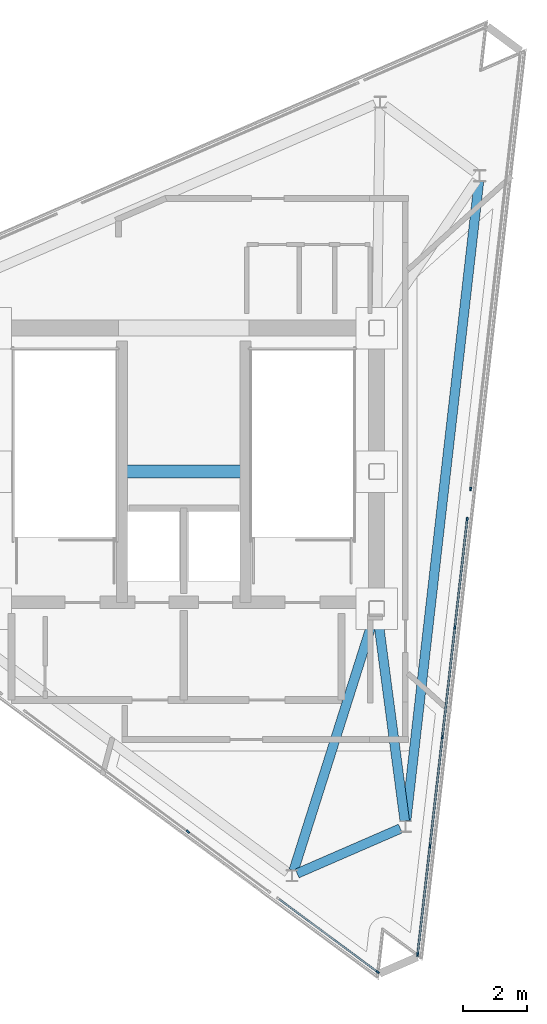
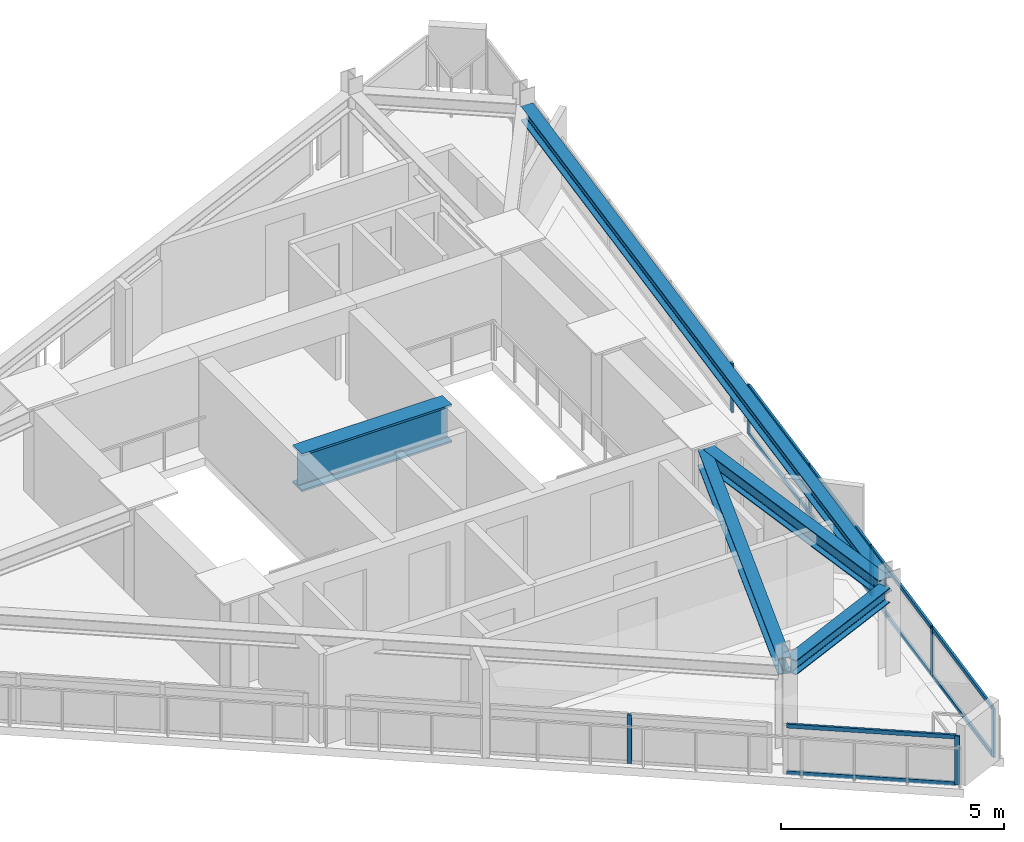
# One storey, part 3 of 9: 18 members, 5 beams, 4 elements without a shape of their own.
"""IFC4 building model written with IfcOpenShell, lengths in metres."""

from ifc_helpers import new_model, si_unit, direction, frame, origin, origin_2d, place, context, subcontext, project, spatial, rectangle, i_section, extrude, material, layer, layer_set, material_profile, profile_set, type_object, element, aggregate, save


model = new_model("IFC4")

# Units and contexts
model_context = context("Model", 3, precision=1e-05, world=origin(), true_north=direction((0.0, 1.0)))
body_context = subcontext(model_context, "Body", "Model", "MODEL_VIEW")
ifc_project = project(units=[si_unit("LENGTHUNIT", "METRE"), si_unit("AREAUNIT", "SQUARE_METRE"), si_unit("VOLUMEUNIT", "CUBIC_METRE"), si_unit("PLANEANGLEUNIT", "RADIAN"), si_unit("MASSUNIT", "GRAM", prefix="KILO")], contexts=[model_context])

# Site, building, storey
site_placement = place(None, origin())
site = spatial("IfcSite", under=ifc_project, at=site_placement, CompositionType="ELEMENT")
building_placement = place(site_placement, origin())
building = spatial("IfcBuilding", under=site, at=building_placement, Name="Rocaltana Carrier Exchange", CompositionType="ELEMENT")
storey_placement = place(building_placement, frame((0.0, 0.0, 254.8798828125)))
storey = spatial("IfcBuildingStorey", under=building, at=storey_placement, Name="L81", CompositionType="ELEMENT", Elevation=254.8798828125)

# Curtain wall, members
ifc_material_1 = material(Name="Aluminium 6063-T6", Category="aluminium")
ifc_layer = layer(ifc_material_1, 0.110107421875)
ifc_layer_set = layer_set([ifc_layer], Name="Aluminium 6063-T6")
curtain_wall_type = type_object("IfcCurtainWallType", Name="Crown Lantern Faceted Curtain Wall CW-06", PredefinedType="NOTDEFINED", material=ifc_layer_set)
curtain_wall_1_placement = place(storey_placement, origin())
curtain_wall_1 = element("IfcCurtainWall", 1, at=curtain_wall_1_placement, inside=storey, type_object=curtain_wall_type, Name="L81 CW-06 Run CW06-L81-F1S1", PredefinedType="NOTDEFINED")
ifc_material_2 = material(Name="Aluminium 6063-T6", Category="aluminium")
ifc_material_profile_1 = material_profile(ifc_material_2, rectangle(XDim=0.054931640625, YDim=0.110107421875, at=origin_2d()), Name="AL-55X110")
ifc_profile_set_1 = profile_set([ifc_material_profile_1], Name="Aluminium 6063-T6")
member_type_1 = type_object("IfcMemberType", Name="CW-06 Mullion AL-55X110", PredefinedType="MULLION", material=ifc_profile_set_1)
member_1_placement = place(storey_placement, frame((7.33203125, -15.14990234375, 0.0), z_axis=(0.0, 0.0, 1.0), x_axis=(-0.993571898924, 0.113202834189, 0.0)))
member_1 = element("IfcMember", 2, at=member_1_placement, type_object=member_type_1, Name="CW-06 mullion 1", PredefinedType="MULLION", context=body_context, shape_type="SweptSolid", body=[
    extrude(rectangle(XDim=0.054931640625, YDim=0.110107421875, at=origin_2d()), origin(), (0.0, 0.0, 1.0), 1.338134765625),
])
member_2_placement = place(storey_placement, frame((7.719482421875, -11.749267578125, 0.0), z_axis=(0.0, 0.0, 1.0), x_axis=(-0.993571898924, 0.113202834189, 0.0)))
member_2 = element("IfcMember", 3, at=member_2_placement, type_object=member_type_1, Name="CW-06 mullion 2", PredefinedType="MULLION", context=body_context, shape_type="SweptSolid", body=[
    extrude(rectangle(XDim=0.054931640625, YDim=0.110107421875, at=origin_2d()), origin(), (0.0, 0.0, 1.0), 1.338134765625),
])
member_3_placement = place(storey_placement, frame((8.110107421875, -8.321533203125, 0.0), z_axis=(0.0, 0.0, 1.0), x_axis=(-0.993571898924, 0.113202834189, 0.0)))
member_3 = element("IfcMember", 4, at=member_3_placement, type_object=member_type_1, Name="CW-06 mullion 3", PredefinedType="MULLION", context=body_context, shape_type="SweptSolid", body=[
    extrude(rectangle(XDim=0.054931640625, YDim=0.110107421875, at=origin_2d()), origin(), (0.0, 0.0, 1.0), 1.338134765625),
])
member_4_placement = place(storey_placement, frame((8.50048828125, -4.893798828125, 0.0), z_axis=(0.0, 0.0, 1.0), x_axis=(-0.993571898924, 0.113202834189, 0.0)))
member_4 = element("IfcMember", 5, at=member_4_placement, type_object=member_type_1, Name="CW-06 mullion 4", PredefinedType="MULLION", context=body_context, shape_type="SweptSolid", body=[
    extrude(rectangle(XDim=0.054931640625, YDim=0.110107421875, at=origin_2d()), origin(), (0.0, 0.0, 1.0), 1.338134765625),
])
member_5_placement = place(storey_placement, frame((8.887939453125, -1.4931640625, 0.0), z_axis=(0.0, 0.0, 1.0), x_axis=(-0.993571898924, 0.113202834189, 0.0)))
member_5 = element("IfcMember", 6, at=member_5_placement, type_object=member_type_1, Name="CW-06 mullion 5", PredefinedType="MULLION", context=body_context, shape_type="SweptSolid", body=[
    extrude(rectangle(XDim=0.054931640625, YDim=0.110107421875, at=origin_2d()), origin(), (0.0, 0.0, 1.0), 1.338134765625),
])

# Curtain wall, member
curtain_wall_2_placement = place(storey_placement, origin())
curtain_wall_2 = element("IfcCurtainWall", 7, at=curtain_wall_2_placement, inside=storey, type_object=curtain_wall_type, Name="L81 CW-06 Run CW06-L81-F1S2", PredefinedType="NOTDEFINED")
member_6_placement = place(storey_placement, frame((8.99609375, -0.54443359375, 0.0), z_axis=(0.0, 0.0, 1.0), x_axis=(-0.993571898924, 0.113202834189, 0.0)))
member_6 = element("IfcMember", 8, at=member_6_placement, type_object=member_type_1, Name="CW-06 mullion 1", PredefinedType="MULLION", context=body_context, shape_type="SweptSolid", body=[
    extrude(rectangle(XDim=0.054931640625, YDim=0.110107421875, at=origin_2d()), origin(), (0.0, 0.0, 1.0), 1.338134765625),
])
aggregate(curtain_wall_2, [member_6])

curtain_wall_3_placement = place(storey_placement, origin())
curtain_wall_3 = element("IfcCurtainWall", 9, at=curtain_wall_3_placement, inside=storey, type_object=curtain_wall_type, Name="L81 CW-06 Run CW06-L81-F3S2-S1", PredefinedType="NOTDEFINED")
member_7_placement = place(storey_placement, frame((0.13330078125, -11.29443359375, 0.0), z_axis=(0.0, 0.0, 1.0), x_axis=(0.594820842297, 0.803858299434, 0.0)))
member_7 = element("IfcMember", 10, at=member_7_placement, type_object=member_type_1, Name="CW-06 mullion 3", PredefinedType="MULLION", context=body_context, shape_type="SweptSolid", body=[
    extrude(rectangle(XDim=0.054931640625, YDim=0.110107421875, at=origin_2d()), origin(), (0.0, 0.0, 1.0), 1.338134765625),
])
aggregate(curtain_wall_3, [member_7])

curtain_wall_4_placement = place(storey_placement, origin())
curtain_wall_4 = element("IfcCurtainWall", 11, at=curtain_wall_4_placement, inside=storey, type_object=curtain_wall_type, Name="L81 CW-06 Run CW06-L81-F3S2-S2", PredefinedType="NOTDEFINED")
member_8_placement = place(storey_placement, frame((6.07958984375, -15.6943359375, 0.0), z_axis=(0.0, 0.0, 1.0), x_axis=(0.594812420492, 0.803864531142, 0.0)))
member_8 = element("IfcMember", 12, at=member_8_placement, type_object=member_type_1, Name="CW-06 mullion 2", PredefinedType="MULLION", context=body_context, shape_type="SweptSolid", body=[
    extrude(rectangle(XDim=0.054931640625, YDim=0.110107421875, at=origin_2d()), origin(), (0.0, 0.0, 1.0), 1.338134765625),
])

# Member
ifc_material_3 = material(Name="Aluminium 6063-T6", Category="aluminium")
ifc_material_profile_2 = material_profile(ifc_material_3, rectangle(XDim=0.054931640625, YDim=0.110107421875, at=origin_2d()), Name="AL-55X110")
ifc_profile_set_2 = profile_set([ifc_material_profile_2], Name="Aluminium 6063-T6")
member_type_2 = type_object("IfcMemberType", Name="CW-06 Transom AL-55X110", PredefinedType="USERDEFINED", material=ifc_profile_set_2)
member_9_placement = place(storey_placement, frame((7.335205078125, -15.12255859375, 0.027587890625), z_axis=(0.113168323322, 0.99357583032, 0.0), x_axis=(-0.99357583032, 0.113168323322, 0.0)))
member_9 = element("IfcMember", 13, at=member_9_placement, type_object=member_type_2, Name="CW-06 transom 1.1", ObjectType="TRANSOM", PredefinedType="USERDEFINED", context=body_context, shape_type="SweptSolid", body=[
    extrude(rectangle(XDim=0.054931640625, YDim=0.110107421875, at=origin_2d()), origin(), (0.0, 0.0, 1.0), 3.36767578125),
])

member_10_placement = place(storey_placement, frame((7.335205078125, -15.12255859375, 1.310546875), z_axis=(0.113168323322, 0.99357583032, 0.0), x_axis=(-0.99357583032, 0.113168323322, 0.0)))
member_10 = element("IfcMember", 14, at=member_10_placement, type_object=member_type_2, Name="CW-06 transom 1.2", ObjectType="TRANSOM", PredefinedType="USERDEFINED", context=body_context, shape_type="SweptSolid", body=[
    extrude(rectangle(XDim=0.054931640625, YDim=0.110107421875, at=origin_2d()), origin(), (0.0, 0.0, 1.0), 3.36767578125),
])

member_11_placement = place(storey_placement, frame((7.72265625, -11.72216796875, 0.027587890625), z_axis=(0.113185587436, 0.993573863785, 0.0), x_axis=(-0.993573863785, 0.113185587436, 0.0)))
member_11 = element("IfcMember", 15, at=member_11_placement, type_object=member_type_2, Name="CW-06 transom 2.1", ObjectType="TRANSOM", PredefinedType="USERDEFINED", context=body_context, shape_type="SweptSolid", body=[
    extrude(rectangle(XDim=0.054931640625, YDim=0.110107421875, at=origin_2d()), origin(), (0.0, 0.0, 1.0), 3.39501953125),
])

member_12_placement = place(storey_placement, frame((7.72265625, -11.72216796875, 1.310546875), z_axis=(0.113185587436, 0.993573863785, 0.0), x_axis=(-0.993573863785, 0.113185587436, 0.0)))
member_12 = element("IfcMember", 16, at=member_12_placement, type_object=member_type_2, Name="CW-06 transom 2.2", ObjectType="TRANSOM", PredefinedType="USERDEFINED", context=body_context, shape_type="SweptSolid", body=[
    extrude(rectangle(XDim=0.054931640625, YDim=0.110107421875, at=origin_2d()), origin(), (0.0, 0.0, 1.0), 3.39501953125),
])

member_13_placement = place(storey_placement, frame((8.113037109375, -8.294189453125, 0.027587890625), z_axis=(0.113264667192, 0.993564852018, 0.0), x_axis=(-0.993564852018, 0.113264667192, 0.0)))
member_13 = element("IfcMember", 17, at=member_13_placement, type_object=member_type_2, Name="CW-06 transom 3.1", ObjectType="TRANSOM", PredefinedType="USERDEFINED", context=body_context, shape_type="SweptSolid", body=[
    extrude(rectangle(XDim=0.054931640625, YDim=0.110107421875, at=origin_2d()), origin(), (0.0, 0.0, 1.0), 3.394775390625),
])

member_14_placement = place(storey_placement, frame((8.113037109375, -8.294189453125, 1.310546875), z_axis=(0.113264667192, 0.993564852018, 0.0), x_axis=(-0.993564852018, 0.113264667192, 0.0)))
member_14 = element("IfcMember", 18, at=member_14_placement, type_object=member_type_2, Name="CW-06 transom 3.2", ObjectType="TRANSOM", PredefinedType="USERDEFINED", context=body_context, shape_type="SweptSolid", body=[
    extrude(rectangle(XDim=0.054931640625, YDim=0.110107421875, at=origin_2d()), origin(), (0.0, 0.0, 1.0), 3.394775390625),
])

member_15_placement = place(storey_placement, frame((8.503662109375, -4.866455078125, 0.027587890625), z_axis=(0.113168323322, 0.99357583032, 0.0), x_axis=(-0.99357583032, 0.113168323322, 0.0)))
member_15 = element("IfcMember", 19, at=member_15_placement, type_object=member_type_2, Name="CW-06 transom 4.1", ObjectType="TRANSOM", PredefinedType="USERDEFINED", context=body_context, shape_type="SweptSolid", body=[
    extrude(rectangle(XDim=0.054931640625, YDim=0.110107421875, at=origin_2d()), origin(), (0.0, 0.0, 1.0), 3.36767578125),
])

member_16_placement = place(storey_placement, frame((8.503662109375, -4.866455078125, 1.310546875), z_axis=(0.113168323322, 0.99357583032, 0.0), x_axis=(-0.99357583032, 0.113168323322, 0.0)))
member_16 = element("IfcMember", 20, at=member_16_placement, type_object=member_type_2, Name="CW-06 transom 4.2", ObjectType="TRANSOM", PredefinedType="USERDEFINED", context=body_context, shape_type="SweptSolid", body=[
    extrude(rectangle(XDim=0.054931640625, YDim=0.110107421875, at=origin_2d()), origin(), (0.0, 0.0, 1.0), 3.36767578125),
])

aggregate(curtain_wall_1, [member_1, member_2, member_3, member_4, member_5, member_9, member_10, member_11, member_12, member_13, member_14, member_15, member_16])

member_17_placement = place(storey_placement, frame((2.98681640625, -13.406005859375, 0.027587890625), z_axis=(0.803871849012, -0.594802530564, 0.0), x_axis=(0.594802530564, 0.803871849012, 0.0)))
member_17 = element("IfcMember", 21, at=member_17_placement, type_object=member_type_2, Name="CW-06 transom 1.1", ObjectType="TRANSOM", PredefinedType="USERDEFINED", context=body_context, shape_type="SweptSolid", body=[
    extrude(rectangle(XDim=0.054931640625, YDim=0.110107421875, at=origin_2d()), origin(), (0.0, 0.0, 1.0), 3.81982421875),
])

member_18_placement = place(storey_placement, frame((2.98681640625, -13.406005859375, 1.310546875), z_axis=(0.803871849012, -0.594802530564, 0.0), x_axis=(0.594802530564, 0.803871849012, 0.0)))
member_18 = element("IfcMember", 22, at=member_18_placement, type_object=member_type_2, Name="CW-06 transom 1.2", ObjectType="TRANSOM", PredefinedType="USERDEFINED", context=body_context, shape_type="SweptSolid", body=[
    extrude(rectangle(XDim=0.054931640625, YDim=0.110107421875, at=origin_2d()), origin(), (0.0, 0.0, 1.0), 3.81982421875),
])

aggregate(curtain_wall_4, [member_8, member_17, member_18])

# Beams
ifc_material_4 = material(Name="Steel S460", Category="steel")
ifc_material_profile_3 = material_profile(ifc_material_4, i_section(OverallWidth=0.300048828125, OverallDepth=0.449951171875, WebThickness=0.013916015625, FlangeThickness=0.02587890625, FilletRadius=0.027099609375, at=origin_2d()), Name="HEB450")
ifc_profile_set_3 = profile_set([ifc_material_profile_3], Name="Steel S460")
beam_type_1 = type_object("IfcBeamType", Name="Crown Frame Rafter HEB450", PredefinedType="BEAM", material=ifc_profile_set_3)
beam_1_placement = place(storey_placement, frame((6.081787109375, -4.539794921875, 2.233154296875), z_axis=(0.131160183144, -0.991361188648, 0.0), x_axis=(0.991361188648, 0.131160183144, 0.0)))
element("IfcBeam", 23, at=beam_1_placement, inside=storey, type_object=beam_type_1, Name="CRG-RAD-L81-01", PredefinedType="BEAM", context=body_context, shape_type="SweptSolid", body=[
    extrude(i_section(OverallWidth=0.300048828125, OverallDepth=0.449951171875, WebThickness=0.013916015625, FlangeThickness=0.02587890625, FilletRadius=0.027099609375, at=origin_2d()), origin(), (0.0, 0.0, 1.0), 6.47021484375),
])
beam_2_placement = place(storey_placement, frame((5.976806640625, -4.53076171875, 2.233154296875), z_axis=(-0.302197952625, -0.953245192712, 0.0), x_axis=(0.953245192712, -0.302197952625, 0.0)))
element("IfcBeam", 24, at=beam_2_placement, inside=storey, type_object=beam_type_1, Name="CRG-RAD-L81-06", PredefinedType="BEAM", context=body_context, shape_type="SweptSolid", body=[
    extrude(i_section(OverallWidth=0.300048828125, OverallDepth=0.449951171875, WebThickness=0.013916015625, FlangeThickness=0.02587890625, FilletRadius=0.027099609375, at=origin_2d()), origin(), (0.0, 0.0, 1.0), 8.3681640625),
])
ifc_material_5 = material(Name="Steel S460", Category="steel")
ifc_material_profile_4 = material_profile(ifc_material_5, i_section(OverallWidth=0.300048828125, OverallDepth=0.39990234375, WebThickness=0.013427734375, FlangeThickness=0.02392578125, FilletRadius=0.027099609375, at=origin_2d()), Name="HEB400")
ifc_profile_set_4 = profile_set([ifc_material_profile_4], Name="Steel S460")
beam_type_2 = type_object("IfcBeamType", Name="Crown Ring Beam HEB400", PredefinedType="BEAM", material=ifc_profile_set_4)
beam_3_placement = place(storey_placement, frame((6.972900390625, -10.95361328125, 2.258056640625), z_axis=(0.113206536155, 0.993571477133, 0.0), x_axis=(-0.993571477133, 0.113206536155, 0.0)))
element("IfcBeam", 25, at=beam_3_placement, inside=storey, type_object=beam_type_2, Name="CRG-RING-L81-01", PredefinedType="BEAM", context=body_context, shape_type="SweptSolid", body=[
    extrude(i_section(OverallWidth=0.300048828125, OverallDepth=0.39990234375, WebThickness=0.013427734375, FlangeThickness=0.02392578125, FilletRadius=0.027099609375, at=origin_2d()), origin(), (0.0, 0.0, 1.0), 20.18798828125),
])
beam_4_placement = place(storey_placement, frame((3.55517578125, -12.60400390625, 2.258056640625), z_axis=(0.917068957049, 0.398728639574, 0.0), x_axis=(-0.398728639574, 0.917068957049, 0.0)))
element("IfcBeam", 26, at=beam_4_placement, inside=storey, type_object=beam_type_2, Name="CRG-RING-L81-06", PredefinedType="BEAM", context=body_context, shape_type="SweptSolid", body=[
    extrude(i_section(OverallWidth=0.300048828125, OverallDepth=0.39990234375, WebThickness=0.013427734375, FlangeThickness=0.02392578125, FilletRadius=0.027099609375, at=origin_2d()), origin(), (0.0, 0.0, 1.0), 3.531005859375),
])
ifc_material_6 = material(Name="Steel S460", Category="steel")
ifc_material_profile_5 = material_profile(ifc_material_6, i_section(OverallWidth=0.4189453125, OverallDepth=1.041015625, WebThickness=0.031005859375, FlangeThickness=0.055908203125, FilletRadius=0.02490234375, at=origin_2d()), Name="W40X397")
ifc_profile_set_5 = profile_set([ifc_material_profile_5], Name="Steel S460")
beam_type_3 = type_object("IfcBeamType", Name="Transfer Girder W40X397", PredefinedType="USERDEFINED", material=ifc_profile_set_5)
beam_5_placement = place(storey_placement, frame((-1.93994140625, 0.0, 1.9375), z_axis=(1.0, 0.0, 0.0), x_axis=(0.0, 1.0, 0.0)))
element("IfcBeam", 27, at=beam_5_placement, inside=storey, type_object=beam_type_3, Name="L81 Crown Apex Transfer Girder", ObjectType="TRANSFER GIRDER", PredefinedType="USERDEFINED", context=body_context, shape_type="SweptSolid", body=[
    extrude(i_section(OverallWidth=0.4189453125, OverallDepth=1.041015625, WebThickness=0.031005859375, FlangeThickness=0.055908203125, FilletRadius=0.02490234375, at=origin_2d()), origin(), (0.0, 0.0, 1.0), 3.8798828125),
])

save(model, "model.ifc")
